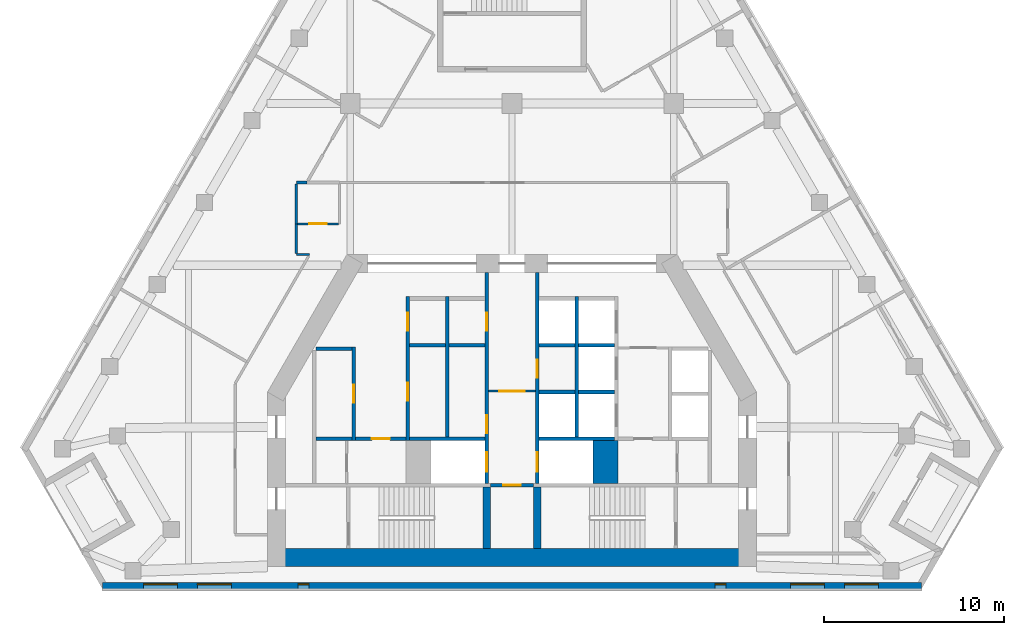
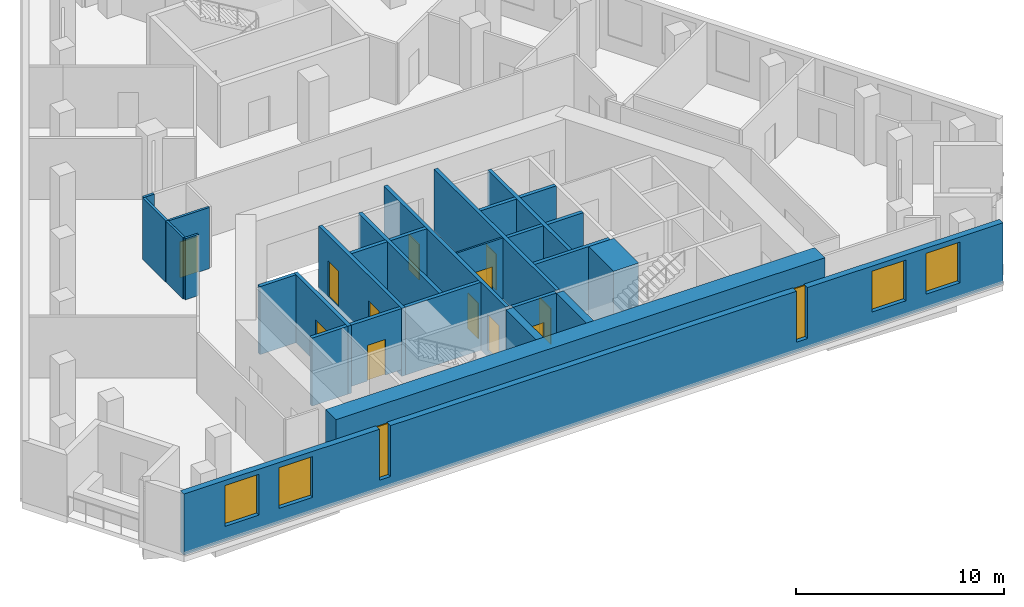
# One storey, part 4 of 9: 29 walls, 12 doors, 6 windows, 18 openings.
"""IFC4 building model written with IfcOpenShell, lengths in metres."""

from ifc_helpers import new_model, si_unit, direction, frame, frame_2d, origin, place, context, subcontext, project, spatial, rectangle, extrude, material, layer, layer_set, type_object, element, fill, save


model = new_model("IFC4")

# Units and contexts
model_context = context("Model", 3, precision=1e-05, world=origin(), true_north=direction((0.0, 1.0)))
body_context = subcontext(model_context, "Body", "Model", "MODEL_VIEW")
ifc_project = project(units=[si_unit("LENGTHUNIT", "METRE"), si_unit("AREAUNIT", "SQUARE_METRE"), si_unit("VOLUMEUNIT", "CUBIC_METRE"), si_unit("PLANEANGLEUNIT", "RADIAN"), si_unit("MASSUNIT", "GRAM", prefix="KILO")], contexts=[model_context])

# Site, building, storey
site_placement = place(None, origin())
site = spatial("IfcSite", under=ifc_project, at=site_placement, CompositionType="ELEMENT")
building_placement = place(site_placement, origin())
building = spatial("IfcBuilding", under=site, at=building_placement, Name="Fogline Exchange Tower", CompositionType="ELEMENT")
storey_placement = place(building_placement, frame((0.0, 0.0, 206.10009765625)))
storey = spatial("IfcBuildingStorey", under=building, at=storey_placement, Name="L46", CompositionType="ELEMENT", Elevation=206.10009765625)

# Wall, opening, door
ifc_material_1 = material(Name="Blockwork partition", Category="masonry")
ifc_layer_1 = layer(ifc_material_1, 0.10009765625)
ifc_layer_set_1 = layer_set([ifc_layer_1], Name="CW10")
wall_type_1 = type_object("IfcWallType", Name="CW10", PredefinedType="PARTITIONING", material=ifc_layer_set_1)
wall_1_placement = place(storey_placement, frame((-1.300048828125, 11.0, 0.0), z_axis=(0.0, 0.0, 1.0), x_axis=(1.0, 0.0, 0.0)))
wall_1 = element("IfcWall", 1, at=wall_1_placement, inside=storey, type_object=wall_type_1, Name="Lift lobby partition", PredefinedType="PARTITIONING", context=body_context, shape_type="SweptSolid", body=[
    extrude(rectangle(XDim=2.60009765625, YDim=0.10009765625, at=frame_2d((1.300048828125, 0.0))), origin(), (0.0, 0.0, 1.0), 3.599853515625),
])
opening_1_placement = place(wall_1_placement, frame((0.60009765625, 0.0, 0.0)))
opening_1 = element("IfcOpeningElement", 2, at=opening_1_placement, cuts=wall_1, Name="Opening T15-C019", PredefinedType="OPENING", context=body_context, shape_type="SweptSolid", body=[
    extrude(rectangle(XDim=1.39990234375, YDim=2.10009765625, at=frame_2d((0.699951171875, 1.050048828125))), frame((0.0, 0.06005859375, 0.0), z_axis=(0.0, -1.0, 0.0), x_axis=(1.0, 0.0, 0.0)), (0.0, 0.0, 1.0), 0.1201171875),
])
ifc_material_2 = material(Name="Steel and timber fire door", Category="steel")
door_type_1 = type_object("IfcDoorType", Name="D-LB1", OperationType="DOUBLE_DOOR_SINGLE_SWING", PredefinedType="DOOR", material=ifc_material_2)
door_1_placement = place(opening_1_placement, frame((1.39990234375, 0.0, 0.0), z_axis=(0.0, 0.0, 1.0), x_axis=(-1.0, 0.0, 0.0)))
door_1 = element("IfcDoor", 3, at=door_1_placement, inside=storey, type_object=door_type_1, Name="Door to firefighting lift lobby", OperationType="DOUBLE_DOOR_SINGLE_SWING", OverallHeight=2.10009765625, OverallWidth=1.39990234375, PredefinedType="DOOR", context=body_context, shape_type="SweptSolid", body=[
    extrude(rectangle(XDim=1.39990234375, YDim=2.10009765625, at=frame_2d((0.699951171875, 1.050048828125))), frame((0.0, 0.02490234375, 0.0), z_axis=(0.0, -1.0, 0.0), x_axis=(1.0, 0.0, 0.0)), (0.0, 0.0, 1.0), 0.050048828125),
])
fill(opening_1, door_1)

# Walls
ifc_material_3 = material(Name="Concrete C60", Category="concrete")
ifc_layer_2 = layer(ifc_material_3, 1.39990234375)
ifc_layer_set_2 = layer_set([ifc_layer_2], Name="CW140")
wall_type_2 = type_object("IfcWallType", Name="CW140", PredefinedType="SOLIDWALL", material=ifc_layer_set_2)
wall_2_placement = place(storey_placement, frame((5.199951171875, 5.85009765625, -0.400146484375), z_axis=(0.0, 0.0, 1.0), x_axis=(0.0, 1.0, 0.0)))
element("IfcWall", 4, at=wall_2_placement, inside=storey, type_object=wall_type_2, Name="Lift shaft block wall", PredefinedType="SOLIDWALL", context=body_context, shape_type="SweptSolid", body=[
    extrude(rectangle(XDim=2.39990234375, YDim=1.39990234375, at=frame_2d((1.199951171875, 0.0))), origin(), (0.0, 0.0, 1.0), 4.0),
])
ifc_material_4 = material(Name="Concrete C40", Category="concrete")
ifc_layer_3 = layer(ifc_material_4, 0.199951171875)
ifc_layer_set_3 = layer_set([ifc_layer_3], Name="CW20")
wall_type_3 = type_object("IfcWallType", Name="CW20", PredefinedType="SOLIDWALL", material=ifc_layer_set_3)
for number, where, z_axis, x_axis, name in (
    (5, (-5.699951171875, 13.550048828125, 0.0), (0.0, 0.0, 1.0), (1.0, 0.0, 0.0), "Service room wall"),
    (6, (-3.5, 13.550048828125, 0.0), (0.0, 0.0, 1.0), (1.0, 0.0, 0.0), "Service room wall"),
):
    element("IfcWall", number, at=place(storey_placement, frame(where, z_axis=z_axis, x_axis=x_axis)), inside=storey, type_object=wall_type_3, Name=name, PredefinedType="SOLIDWALL", context=body_context, shape_type="SweptSolid", body=[
        extrude(rectangle(XDim=2.0, YDim=0.199951171875, at=frame_2d((1.0, 0.0))), origin(), (0.0, 0.0, 1.0), 3.599853515625),
    ])

# Wall, opening, door
wall_3_placement = place(storey_placement, frame((-8.699951171875, 8.35009765625, 0.0), z_axis=(0.0, 0.0, 1.0), x_axis=(1.0, 0.0, 0.0)))
wall_3 = element("IfcWall", 7, at=wall_3_placement, inside=storey, type_object=wall_type_3, Name="WC wall", PredefinedType="SOLIDWALL", context=body_context, shape_type="SweptSolid", body=[
    extrude(rectangle(XDim=2.800048828125, YDim=0.199951171875, at=frame_2d((1.39990234375, 0.0))), origin(), (0.0, 0.0, 1.0), 3.599853515625),
])
opening_2_placement = place(wall_3_placement, frame((0.89990234375, 0.0, 0.0)))
opening_2 = element("IfcOpeningElement", 8, at=opening_2_placement, cuts=wall_3, Name="Opening T15-C008", PredefinedType="OPENING", context=body_context, shape_type="SweptSolid", body=[
    extrude(rectangle(XDim=1.0, YDim=2.10009765625, at=frame_2d((0.5, 1.050048828125))), frame((0.0, 0.10986328125, 0.0), z_axis=(0.0, -1.0, 0.0), x_axis=(1.0, 0.0, 0.0)), (0.0, 0.0, 1.0), 0.219970703125),
])
door_type_2 = type_object("IfcDoorType", Name="D-WC1", OperationType="SINGLE_SWING_LEFT", PredefinedType="DOOR", material=ifc_material_2)
door_2_placement = place(opening_2_placement, frame((1.0, 0.0, 0.0), z_axis=(0.0, 0.0, 1.0), x_axis=(-1.0, 0.0, 0.0)))
door_2 = element("IfcDoor", 9, at=door_2_placement, inside=storey, type_object=door_type_2, Name="Door to Men's WC", OperationType="SINGLE_SWING_LEFT", OverallHeight=2.10009765625, OverallWidth=1.0, PredefinedType="DOOR", context=body_context, shape_type="SweptSolid", body=[
    extrude(rectangle(XDim=1.0, YDim=2.10009765625, at=frame_2d((0.5, 1.050048828125))), frame((0.0, 0.02490234375, 0.0), z_axis=(0.0, -1.0, 0.0), x_axis=(1.0, 0.0, 0.0)), (0.0, 0.0, 1.0), 0.050048828125),
])
fill(opening_2, door_2)

ifc_layer_4 = layer(ifc_material_4, 0.199951171875)
ifc_layer_set_4 = layer_set([ifc_layer_4], Name="CW20R")
wall_type_4 = type_object("IfcWallType", Name="CW20R", PredefinedType="SOLIDWALL", material=ifc_layer_set_4)
wall_4_placement = place(storey_placement, frame((-1.199951171875, 5.75, -0.400146484375), z_axis=(0.0, 0.0, 1.0), x_axis=(1.0, 0.0, 0.0)))
wall_4 = element("IfcWall", 10, at=wall_4_placement, inside=storey, type_object=wall_type_4, Name="Stair enclosure wall", PredefinedType="SOLIDWALL", context=body_context, shape_type="SweptSolid", body=[
    extrude(rectangle(XDim=2.39990234375, YDim=0.199951171875, at=frame_2d((1.199951171875, 0.0))), origin(), (0.0, 0.0, 1.0), 4.0),
])
opening_3_placement = place(wall_4_placement, frame((0.699951171875, 0.0, 0.39990234375)))
opening_3 = element("IfcOpeningElement", 11, at=opening_3_placement, cuts=wall_4, Name="Opening T15-C007", PredefinedType="OPENING", context=body_context, shape_type="SweptSolid", body=[
    extrude(rectangle(XDim=1.0, YDim=2.10009765625, at=frame_2d((0.5, 1.050048828125))), frame((0.0, 0.10986328125, 0.0), z_axis=(0.0, -1.0, 0.0), x_axis=(1.0, 0.0, 0.0)), (0.0, 0.0, 1.0), 0.219970703125),
])
door_type_3 = type_object("IfcDoorType", Name="D-RM1", OperationType="SINGLE_SWING_LEFT", PredefinedType="DOOR", material=ifc_material_2)
door_3_placement = place(opening_3_placement, frame((1.0, 0.0, 0.0), z_axis=(0.0, 0.0, 1.0), x_axis=(-1.0, 0.0, 0.0)))
door_3 = element("IfcDoor", 12, at=door_3_placement, inside=storey, type_object=door_type_3, Name="Door to Stationery Store", OperationType="SINGLE_SWING_RIGHT", OverallHeight=2.10009765625, OverallWidth=1.0, PredefinedType="DOOR", context=body_context, shape_type="SweptSolid", body=[
    extrude(rectangle(XDim=1.0, YDim=2.10009765625, at=frame_2d((0.5, 1.050048828125))), frame((0.0, 0.02490234375, 0.0), z_axis=(0.0, -1.0, 0.0), x_axis=(1.0, 0.0, 0.0)), (0.0, 0.0, 1.0), 0.050048828125),
])
fill(opening_3, door_3)

ifc_layer_5 = layer(ifc_material_4, 0.199951171875)
ifc_layer_set_5 = layer_set([ifc_layer_5], Name="CW20S")
wall_type_5 = type_object("IfcWallType", Name="CW20S", PredefinedType="SOLIDWALL", material=ifc_layer_set_5)
wall_5_placement = place(storey_placement, frame((-8.800048828125, 8.25, -0.400146484375), z_axis=(0.0, 0.0, 1.0), x_axis=(0.0, 1.0, 0.0)))
wall_5 = element("IfcWall", 13, at=wall_5_placement, inside=storey, type_object=wall_type_5, Name="Lift shaft wall", PredefinedType="SOLIDWALL", context=body_context, shape_type="SweptSolid", body=[
    extrude(rectangle(XDim=5.199951171875, YDim=0.199951171875, at=frame_2d((2.60009765625, 0.0))), origin(), (0.0, 0.0, 1.0), 4.0),
])
opening_4_placement = place(wall_5_placement, frame((2.10009765625, 0.0, 0.39990234375)))
opening_4 = element("IfcOpeningElement", 14, at=opening_4_placement, cuts=wall_5, Name="Opening T15-C001", PredefinedType="OPENING", context=body_context, shape_type="SweptSolid", body=[
    extrude(rectangle(XDim=1.0, YDim=2.10009765625, at=frame_2d((0.5, 1.050048828125))), frame((0.0, 0.10986328125, 0.0), z_axis=(0.0, -1.0, 0.0), x_axis=(1.0, 0.0, 0.0)), (0.0, 0.0, 1.0), 0.219970703125),
])
door_4_placement = place(opening_4_placement, origin())
door_4 = element("IfcDoor", 15, at=door_4_placement, inside=storey, type_object=door_type_3, Name="Door to Archive Room", OperationType="SINGLE_SWING_RIGHT", OverallHeight=2.10009765625, OverallWidth=1.0, PredefinedType="DOOR", context=body_context, shape_type="SweptSolid", body=[
    extrude(rectangle(XDim=1.0, YDim=2.10009765625, at=frame_2d((0.5, 1.050048828125))), frame((0.0, 0.02490234375, 0.0), z_axis=(0.0, -1.0, 0.0), x_axis=(1.0, 0.0, 0.0)), (0.0, 0.0, 1.0), 0.050048828125),
])
fill(opening_4, door_4)

# Wall, openings, doors
wall_6_placement = place(storey_placement, frame((-5.800048828125, 8.25, -0.400146484375), z_axis=(0.0, 0.0, 1.0), x_axis=(0.0, 1.0, 0.0)))
wall_6 = element("IfcWall", 16, at=wall_6_placement, inside=storey, type_object=wall_type_5, Name="Lift shaft wall", PredefinedType="SOLIDWALL", context=body_context, shape_type="SweptSolid", body=[
    extrude(rectangle(XDim=8.0, YDim=0.199951171875, at=frame_2d((4.0, 0.0))), origin(), (0.0, 0.0, 1.0), 4.0),
])
opening_5_placement = place(wall_6_placement, frame((2.199951171875, 0.0, 0.39990234375)))
opening_5 = element("IfcOpeningElement", 17, at=opening_5_placement, cuts=wall_6, Name="Opening T15-C002", PredefinedType="OPENING", context=body_context, shape_type="SweptSolid", body=[
    extrude(rectangle(XDim=1.0, YDim=2.10009765625, at=frame_2d((0.5, 1.050048828125))), frame((0.0, 0.10986328125, 0.0), z_axis=(0.0, -1.0, 0.0), x_axis=(1.0, 0.0, 0.0)), (0.0, 0.0, 1.0), 0.219970703125),
])
opening_6_placement = place(wall_6_placement, frame((6.10009765625, 0.0, 0.39990234375)))
opening_6 = element("IfcOpeningElement", 18, at=opening_6_placement, cuts=wall_6, Name="Opening T15-C003", PredefinedType="OPENING", context=body_context, shape_type="SweptSolid", body=[
    extrude(rectangle(XDim=1.0, YDim=2.10009765625, at=frame_2d((0.5, 1.050048828125))), frame((0.0, 0.10986328125, 0.0), z_axis=(0.0, -1.0, 0.0), x_axis=(1.0, 0.0, 0.0)), (0.0, 0.0, 1.0), 0.219970703125),
])
door_5_placement = place(opening_5_placement, frame((1.0, 0.0, 0.0), z_axis=(0.0, 0.0, 1.0), x_axis=(-1.0, 0.0, 0.0)))
door_5 = element("IfcDoor", 19, at=door_5_placement, inside=storey, type_object=door_type_3, Name="Door to Equipment Room", OperationType="SINGLE_SWING_LEFT", OverallHeight=2.10009765625, OverallWidth=1.0, PredefinedType="DOOR", context=body_context, shape_type="SweptSolid", body=[
    extrude(rectangle(XDim=1.0, YDim=2.10009765625, at=frame_2d((0.5, 1.050048828125))), frame((0.0, 0.02490234375, 0.0), z_axis=(0.0, -1.0, 0.0), x_axis=(1.0, 0.0, 0.0)), (0.0, 0.0, 1.0), 0.050048828125),
])
fill(opening_5, door_5)
door_6_placement = place(opening_6_placement, frame((1.0, 0.0, 0.0), z_axis=(0.0, 0.0, 1.0), x_axis=(-1.0, 0.0, 0.0)))
door_6 = element("IfcDoor", 20, at=door_6_placement, inside=storey, type_object=door_type_3, Name="Door to Server Room", OperationType="SINGLE_SWING_RIGHT", OverallHeight=2.10009765625, OverallWidth=1.0, PredefinedType="DOOR", context=body_context, shape_type="SweptSolid", body=[
    extrude(rectangle(XDim=1.0, YDim=2.10009765625, at=frame_2d((0.5, 1.050048828125))), frame((0.0, 0.02490234375, 0.0), z_axis=(0.0, -1.0, 0.0), x_axis=(1.0, 0.0, 0.0)), (0.0, 0.0, 1.0), 0.050048828125),
])
fill(opening_6, door_6)

# Walls
for number, where, z_axis, x_axis, name in (
    (21, (-3.60009765625, 8.449951171875, -0.400146484375), (0.0, 0.0, 1.0), (0.0, 1.0, 0.0), "Lift shaft wall"),
    (22, (3.60009765625, 8.449951171875, -0.400146484375), (0.0, 0.0, 1.0), (0.0, 1.0, 0.0), "Lift shaft wall"),
):
    element("IfcWall", number, at=place(storey_placement, frame(where, z_axis=z_axis, x_axis=x_axis)), inside=storey, type_object=wall_type_5, Name=name, PredefinedType="SOLIDWALL", context=body_context, shape_type="SweptSolid", body=[
        extrude(rectangle(XDim=7.800048828125, YDim=0.199951171875, at=frame_2d((3.89990234375, 0.0))), origin(), (0.0, 0.0, 1.0), 4.0),
    ])

# Wall, openings, doors
wall_7_placement = place(storey_placement, frame((-1.39990234375, 5.85009765625, -0.400146484375), z_axis=(0.0, 0.0, 1.0), x_axis=(0.0, 1.0, 0.0)))
wall_7 = element("IfcWall", 23, at=wall_7_placement, inside=storey, type_object=wall_type_5, Name="Lift lobby wall", PredefinedType="SOLIDWALL", context=body_context, shape_type="SweptSolid", body=[
    extrude(rectangle(XDim=11.75, YDim=0.199951171875, at=frame_2d((5.875, 0.0))), origin(), (0.0, 0.0, 1.0), 4.0),
])
opening_7_placement = place(wall_7_placement, frame((0.64990234375, 0.0, 0.39990234375)))
opening_7 = element("IfcOpeningElement", 24, at=opening_7_placement, cuts=wall_7, Name="Opening T15-LD01", PredefinedType="OPENING", context=body_context, shape_type="SweptSolid", body=[
    extrude(rectangle(XDim=1.10009765625, YDim=2.10009765625, at=frame_2d((0.550048828125, 1.050048828125))), frame((0.0, 0.10986328125, 0.0), z_axis=(0.0, -1.0, 0.0), x_axis=(1.0, 0.0, 0.0)), (0.0, 0.0, 1.0), 0.219970703125),
])
opening_8_placement = place(wall_7_placement, frame((2.800048828125, 0.0, 0.39990234375)))
opening_8 = element("IfcOpeningElement", 25, at=opening_8_placement, cuts=wall_7, Name="Opening T15-C004", PredefinedType="OPENING", context=body_context, shape_type="SweptSolid", body=[
    extrude(rectangle(XDim=1.0, YDim=2.10009765625, at=frame_2d((0.5, 1.050048828125))), frame((0.0, 0.10986328125, 0.0), z_axis=(0.0, -1.0, 0.0), x_axis=(1.0, 0.0, 0.0)), (0.0, 0.0, 1.0), 0.219970703125),
])
opening_9_placement = place(wall_7_placement, frame((8.5, 0.0, 0.39990234375)))
opening_9 = element("IfcOpeningElement", 26, at=opening_9_placement, cuts=wall_7, Name="Opening T15-C005", PredefinedType="OPENING", context=body_context, shape_type="SweptSolid", body=[
    extrude(rectangle(XDim=1.0, YDim=2.10009765625, at=frame_2d((0.5, 1.050048828125))), frame((0.0, 0.10986328125, 0.0), z_axis=(0.0, -1.0, 0.0), x_axis=(1.0, 0.0, 0.0)), (0.0, 0.0, 1.0), 0.219970703125),
])
door_7_placement = place(opening_8_placement, origin())
door_7 = element("IfcDoor", 27, at=door_7_placement, inside=storey, type_object=door_type_3, Name="Door to Library Store", OperationType="SINGLE_SWING_LEFT", OverallHeight=2.10009765625, OverallWidth=1.0, PredefinedType="DOOR", context=body_context, shape_type="SweptSolid", body=[
    extrude(rectangle(XDim=1.0, YDim=2.10009765625, at=frame_2d((0.5, 1.050048828125))), frame((0.0, 0.02490234375, 0.0), z_axis=(0.0, -1.0, 0.0), x_axis=(1.0, 0.0, 0.0)), (0.0, 0.0, 1.0), 0.050048828125),
])
fill(opening_8, door_7)
door_8_placement = place(opening_9_placement, origin())
door_8 = element("IfcDoor", 28, at=door_8_placement, inside=storey, type_object=door_type_3, Name="Door to Library Store", OperationType="SINGLE_SWING_LEFT", OverallHeight=2.10009765625, OverallWidth=1.0, PredefinedType="DOOR", context=body_context, shape_type="SweptSolid", body=[
    extrude(rectangle(XDim=1.0, YDim=2.10009765625, at=frame_2d((0.5, 1.050048828125))), frame((0.0, 0.02490234375, 0.0), z_axis=(0.0, -1.0, 0.0), x_axis=(1.0, 0.0, 0.0)), (0.0, 0.0, 1.0), 0.050048828125),
])
fill(opening_9, door_8)
door_type_4 = type_object("IfcDoorType", Name="LD2", OperationType="SLIDING_TO_RIGHT", PredefinedType="DOOR", material=ifc_material_2)
door_9_placement = place(opening_7_placement, origin())
door_9 = element("IfcDoor", 29, at=door_9_placement, inside=storey, type_object=door_type_4, Name="Landing door FF1", OperationType="SLIDING_TO_RIGHT", OverallHeight=2.10009765625, OverallWidth=1.10009765625, PredefinedType="DOOR", context=body_context, shape_type="SweptSolid", body=[
    extrude(rectangle(XDim=1.10009765625, YDim=2.10009765625, at=frame_2d((0.550048828125, 1.050048828125))), frame((0.0, 0.02490234375, 0.0), z_axis=(0.0, -1.0, 0.0), x_axis=(1.0, 0.0, 0.0)), (0.0, 0.0, 1.0), 0.050048828125),
])
fill(opening_7, door_9)

wall_8_placement = place(storey_placement, frame((1.39990234375, 5.85009765625, -0.400146484375), z_axis=(0.0, 0.0, 1.0), x_axis=(0.0, 1.0, 0.0)))
wall_8 = element("IfcWall", 30, at=wall_8_placement, inside=storey, type_object=wall_type_5, Name="Lift lobby wall", PredefinedType="SOLIDWALL", context=body_context, shape_type="SweptSolid", body=[
    extrude(rectangle(XDim=11.75, YDim=0.199951171875, at=frame_2d((5.875, 0.0))), origin(), (0.0, 0.0, 1.0), 4.0),
])
opening_10_placement = place(wall_8_placement, frame((0.64990234375, 0.0, 0.39990234375)))
opening_10 = element("IfcOpeningElement", 31, at=opening_10_placement, cuts=wall_8, Name="Opening T15-LD05", PredefinedType="OPENING", context=body_context, shape_type="SweptSolid", body=[
    extrude(rectangle(XDim=1.10009765625, YDim=2.10009765625, at=frame_2d((0.550048828125, 1.050048828125))), frame((0.0, 0.10986328125, 0.0), z_axis=(0.0, -1.0, 0.0), x_axis=(1.0, 0.0, 0.0)), (0.0, 0.0, 1.0), 0.219970703125),
])
opening_11_placement = place(wall_8_placement, frame((5.89990234375, 0.0, 0.39990234375)))
opening_11 = element("IfcOpeningElement", 32, at=opening_11_placement, cuts=wall_8, Name="Opening T15-C006", PredefinedType="OPENING", context=body_context, shape_type="SweptSolid", body=[
    extrude(rectangle(XDim=1.0, YDim=2.10009765625, at=frame_2d((0.5, 1.050048828125))), frame((0.0, 0.10986328125, 0.0), z_axis=(0.0, -1.0, 0.0), x_axis=(1.0, 0.0, 0.0)), (0.0, 0.0, 1.0), 0.219970703125),
])
door_10_placement = place(opening_11_placement, frame((1.0, 0.0, 0.0), z_axis=(0.0, 0.0, 1.0), x_axis=(-1.0, 0.0, 0.0)))
door_10 = element("IfcDoor", 33, at=door_10_placement, inside=storey, type_object=door_type_3, Name="Door to Plant Room", OperationType="SINGLE_SWING_RIGHT", OverallHeight=2.10009765625, OverallWidth=1.0, PredefinedType="DOOR", context=body_context, shape_type="SweptSolid", body=[
    extrude(rectangle(XDim=1.0, YDim=2.10009765625, at=frame_2d((0.5, 1.050048828125))), frame((0.0, 0.02490234375, 0.0), z_axis=(0.0, -1.0, 0.0), x_axis=(1.0, 0.0, 0.0)), (0.0, 0.0, 1.0), 0.050048828125),
])
fill(opening_11, door_10)
door_11_placement = place(opening_10_placement, origin())
door_11 = element("IfcDoor", 34, at=door_11_placement, inside=storey, type_object=door_type_4, Name="Landing door FF2", OperationType="SLIDING_TO_RIGHT", OverallHeight=2.10009765625, OverallWidth=1.10009765625, PredefinedType="DOOR", context=body_context, shape_type="SweptSolid", body=[
    extrude(rectangle(XDim=1.10009765625, YDim=2.10009765625, at=frame_2d((0.550048828125, 1.050048828125))), frame((0.0, 0.02490234375, 0.0), z_axis=(0.0, -1.0, 0.0), x_axis=(1.0, 0.0, 0.0)), (0.0, 0.0, 1.0), 0.050048828125),
])
fill(opening_10, door_11)

# Walls
wall_9_placement = place(storey_placement, frame((-10.89990234375, 8.35009765625, -0.400146484375), z_axis=(0.0, 0.0, 1.0), x_axis=(1.0, 0.0, 0.0)))
element("IfcWall", 35, at=wall_9_placement, inside=storey, type_object=wall_type_5, Name="Lift shaft wall", PredefinedType="SOLIDWALL", context=body_context, shape_type="SweptSolid", body=[
    extrude(rectangle(XDim=2.0, YDim=0.199951171875, at=frame_2d((1.0, 0.0))), origin(), (0.0, 0.0, 1.0), 4.0),
])
for number, where, z_axis, x_axis, name in (
    (36, (-5.699951171875, 8.35009765625, -0.400146484375), (0.0, 0.0, 1.0), (1.0, 0.0, 0.0), "Lift shaft wall"),
    (37, (1.5, 8.35009765625, -0.400146484375), (0.0, 0.0, 1.0), (1.0, 0.0, 0.0), "Lift shaft wall"),
):
    element("IfcWall", number, at=place(storey_placement, frame(where, z_axis=z_axis, x_axis=x_axis)), inside=storey, type_object=wall_type_5, Name=name, PredefinedType="SOLIDWALL", context=body_context, shape_type="SweptSolid", body=[
        extrude(rectangle(XDim=4.199951171875, YDim=0.199951171875, at=frame_2d((2.10009765625, 0.0))), origin(), (0.0, 0.0, 1.0), 4.0),
    ])
for number, where, z_axis, x_axis, name in (
    (38, (-10.89990234375, 13.35009765625, -0.400146484375), (0.0, 0.0, 1.0), (1.0, 0.0, 0.0), "Lift shaft wall"),
    (39, (3.699951171875, 10.949951171875, -0.400146484375), (0.0, 0.0, 1.0), (1.0, 0.0, 0.0), "Lift shaft wall"),
    (40, (3.699951171875, 13.550048828125, -0.400146484375), (0.0, 0.0, 1.0), (1.0, 0.0, 0.0), "Lift shaft wall"),
    (41, (1.5, 10.949951171875, -0.400146484375), (0.0, 0.0, 1.0), (1.0, 0.0, 0.0), "Lift shaft wall"),
    (42, (1.5, 13.550048828125, -0.400146484375), (0.0, 0.0, 1.0), (1.0, 0.0, 0.0), "Lift shaft wall"),
):
    element("IfcWall", number, at=place(storey_placement, frame(where, z_axis=z_axis, x_axis=x_axis)), inside=storey, type_object=wall_type_5, Name=name, PredefinedType="SOLIDWALL", context=body_context, shape_type="SweptSolid", body=[
        extrude(rectangle(XDim=2.0, YDim=0.199951171875, at=frame_2d((1.0, 0.0))), origin(), (0.0, 0.0, 1.0), 4.0),
    ])
ifc_layer_6 = layer(ifc_material_4, 0.39990234375)
ifc_layer_set_6 = layer_set([ifc_layer_6], Name="CW40R")
wall_type_6 = type_object("IfcWallType", Name="CW40R", PredefinedType="SOLIDWALL", material=ifc_layer_set_6)
for number, where, z_axis, x_axis, name in (
    (43, (-1.39990234375, 2.25, -0.400146484375), (0.0, 0.0, 1.0), (0.0, 1.0, 0.0), "Stair and lift shaft wall"),
    (44, (1.39990234375, 2.25, -0.400146484375), (0.0, 0.0, 1.0), (0.0, 1.0, 0.0), "Stair and lift shaft wall"),
):
    element("IfcWall", number, at=place(storey_placement, frame(where, z_axis=z_axis, x_axis=x_axis)), inside=storey, type_object=wall_type_6, Name=name, PredefinedType="SOLIDWALL", context=body_context, shape_type="SweptSolid", body=[
        extrude(rectangle(XDim=3.39990234375, YDim=0.39990234375, at=frame_2d((1.699951171875, 0.0))), origin(), (0.0, 0.0, 1.0), 4.0),
    ])

# Wall, openings, windows
ifc_material_5 = material(Name="Brick masonry", Category="masonry")
ifc_layer_7 = layer(ifc_material_5, 0.340087890625)
ifc_layer_set_7 = layer_set([ifc_layer_7], Name="FW1")
wall_type_7 = type_object("IfcWallType", Name="FW1", PredefinedType="SOLIDWALL", material=ifc_layer_set_7)
wall_10_placement = place(storey_placement, frame((-22.78662109375, 0.169921875, 0.0), z_axis=(0.0, 0.0, 1.0), x_axis=(1.0, 0.0, 0.0)))
wall_10 = element("IfcWall", 45, at=wall_10_placement, inside=storey, type_object=wall_type_7, Name="Brick wall L46 S", PredefinedType="SOLIDWALL", context=body_context, shape_type="SweptSolid", body=[
    extrude(rectangle(XDim=45.5732421875, YDim=0.340087890625, at=frame_2d((22.78662109375, 0.0))), origin(), (0.0, 0.0, 1.0), 3.599853515625),
])
opening_12_placement = place(wall_10_placement, frame((2.28662109375, 0.0, 0.89990234375)))
opening_12 = element("IfcOpeningElement", 46, at=opening_12_placement, cuts=wall_10, Name="Opening W1", PredefinedType="OPENING", context=body_context, shape_type="SweptSolid", body=[
    extrude(rectangle(XDim=1.885009765625, YDim=2.39990234375, at=frame_2d((0.9423828125, 1.199951171875))), frame((0.0, 0.18017578125, 0.0), z_axis=(0.0, -1.0, 0.0), x_axis=(1.0, 0.0, 0.0)), (0.0, 0.0, 1.0), 0.360107421875),
])
opening_13_placement = place(wall_10_placement, frame((5.28662109375, 0.0, 0.89990234375)))
opening_13 = element("IfcOpeningElement", 47, at=opening_13_placement, cuts=wall_10, Name="Opening W1", PredefinedType="OPENING", context=body_context, shape_type="SweptSolid", body=[
    extrude(rectangle(XDim=1.885009765625, YDim=2.39990234375, at=frame_2d((0.9423828125, 1.199951171875))), frame((0.0, 0.18017578125, 0.0), z_axis=(0.0, -1.0, 0.0), x_axis=(1.0, 0.0, 0.0)), (0.0, 0.0, 1.0), 0.360107421875),
])
opening_14_placement = place(wall_10_placement, frame((38.28662109375, 0.0, 0.89990234375)))
opening_14 = element("IfcOpeningElement", 48, at=opening_14_placement, cuts=wall_10, Name="Opening W1", PredefinedType="OPENING", context=body_context, shape_type="SweptSolid", body=[
    extrude(rectangle(XDim=1.885009765625, YDim=2.39990234375, at=frame_2d((0.9423828125, 1.199951171875))), frame((0.0, 0.18017578125, 0.0), z_axis=(0.0, -1.0, 0.0), x_axis=(1.0, 0.0, 0.0)), (0.0, 0.0, 1.0), 0.360107421875),
])
opening_15_placement = place(wall_10_placement, frame((41.28662109375, 0.0, 0.89990234375)))
opening_15 = element("IfcOpeningElement", 49, at=opening_15_placement, cuts=wall_10, Name="Opening W1", PredefinedType="OPENING", context=body_context, shape_type="SweptSolid", body=[
    extrude(rectangle(XDim=1.885009765625, YDim=2.39990234375, at=frame_2d((0.9423828125, 1.199951171875))), frame((0.0, 0.18017578125, 0.0), z_axis=(0.0, -1.0, 0.0), x_axis=(1.0, 0.0, 0.0)), (0.0, 0.0, 1.0), 0.360107421875),
])
opening_16_placement = place(wall_10_placement, frame((10.886474609375, 0.0, 0.60009765625)))
opening_16 = element("IfcOpeningElement", 50, at=opening_16_placement, cuts=wall_10, Name="Opening W5", PredefinedType="OPENING", context=body_context, shape_type="SweptSolid", body=[
    extrude(rectangle(XDim=0.60009765625, YDim=3.0, at=frame_2d((0.300048828125, 1.5))), frame((0.0, 0.18017578125, 0.0), z_axis=(0.0, -1.0, 0.0), x_axis=(1.0, 0.0, 0.0)), (0.0, 0.0, 1.0), 0.360107421875),
])
opening_17_placement = place(wall_10_placement, frame((34.08642578125, 0.0, 0.60009765625)))
opening_17 = element("IfcOpeningElement", 51, at=opening_17_placement, cuts=wall_10, Name="Opening W5", PredefinedType="OPENING", context=body_context, shape_type="SweptSolid", body=[
    extrude(rectangle(XDim=0.60009765625, YDim=3.0, at=frame_2d((0.300048828125, 1.5))), frame((0.0, 0.18017578125, 0.0), z_axis=(0.0, -1.0, 0.0), x_axis=(1.0, 0.0, 0.0)), (0.0, 0.0, 1.0), 0.360107421875),
])
ifc_material_6 = material(Name="Aluminium and glass", Category="aluminium")
window_type_1 = type_object("IfcWindowType", Name="W1", PartitioningType="SINGLE_PANEL", PredefinedType="WINDOW", material=ifc_material_6)
window_1_placement = place(opening_12_placement, origin())
window_1 = element("IfcWindow", 52, at=window_1_placement, inside=storey, type_object=window_type_1, Name="W1 W1", OverallHeight=2.39990234375, OverallWidth=1.885009765625, PartitioningType="SINGLE_PANEL", PredefinedType="WINDOW", context=body_context, shape_type="SweptSolid", body=[
    extrude(rectangle(XDim=1.885009765625, YDim=2.39990234375, at=frame_2d((0.9423828125, 1.199951171875))), frame((0.0, 0.110107421875, 0.0), z_axis=(0.0, -1.0, 0.0), x_axis=(1.0, 0.0, 0.0)), (0.0, 0.0, 1.0), 0.06005859375),
])
fill(opening_12, window_1)
window_2_placement = place(opening_13_placement, origin())
window_2 = element("IfcWindow", 53, at=window_2_placement, inside=storey, type_object=window_type_1, Name="W1 W1", OverallHeight=2.39990234375, OverallWidth=1.885009765625, PartitioningType="SINGLE_PANEL", PredefinedType="WINDOW", context=body_context, shape_type="SweptSolid", body=[
    extrude(rectangle(XDim=1.885009765625, YDim=2.39990234375, at=frame_2d((0.9423828125, 1.199951171875))), frame((0.0, 0.110107421875, 0.0), z_axis=(0.0, -1.0, 0.0), x_axis=(1.0, 0.0, 0.0)), (0.0, 0.0, 1.0), 0.06005859375),
])
fill(opening_13, window_2)
window_3_placement = place(opening_14_placement, origin())
window_3 = element("IfcWindow", 54, at=window_3_placement, inside=storey, type_object=window_type_1, Name="W1 W1", OverallHeight=2.39990234375, OverallWidth=1.885009765625, PartitioningType="SINGLE_PANEL", PredefinedType="WINDOW", context=body_context, shape_type="SweptSolid", body=[
    extrude(rectangle(XDim=1.885009765625, YDim=2.39990234375, at=frame_2d((0.9423828125, 1.199951171875))), frame((0.0, 0.110107421875, 0.0), z_axis=(0.0, -1.0, 0.0), x_axis=(1.0, 0.0, 0.0)), (0.0, 0.0, 1.0), 0.06005859375),
])
fill(opening_14, window_3)
window_4_placement = place(opening_15_placement, origin())
window_4 = element("IfcWindow", 55, at=window_4_placement, inside=storey, type_object=window_type_1, Name="W1 W1", OverallHeight=2.39990234375, OverallWidth=1.885009765625, PartitioningType="SINGLE_PANEL", PredefinedType="WINDOW", context=body_context, shape_type="SweptSolid", body=[
    extrude(rectangle(XDim=1.885009765625, YDim=2.39990234375, at=frame_2d((0.9423828125, 1.199951171875))), frame((0.0, 0.110107421875, 0.0), z_axis=(0.0, -1.0, 0.0), x_axis=(1.0, 0.0, 0.0)), (0.0, 0.0, 1.0), 0.06005859375),
])
fill(opening_15, window_4)
window_type_2 = type_object("IfcWindowType", Name="W5", PartitioningType="SINGLE_PANEL", PredefinedType="WINDOW", material=ifc_material_6)
window_5_placement = place(opening_16_placement, origin())
window_5 = element("IfcWindow", 56, at=window_5_placement, inside=storey, type_object=window_type_2, Name="W5 W5", OverallHeight=3.0, OverallWidth=0.60009765625, PartitioningType="SINGLE_PANEL", PredefinedType="WINDOW", context=body_context, shape_type="SweptSolid", body=[
    extrude(rectangle(XDim=0.60009765625, YDim=3.0, at=frame_2d((0.300048828125, 1.5))), frame((0.0, 0.110107421875, 0.0), z_axis=(0.0, -1.0, 0.0), x_axis=(1.0, 0.0, 0.0)), (0.0, 0.0, 1.0), 0.06005859375),
])
fill(opening_16, window_5)
window_6_placement = place(opening_17_placement, origin())
window_6 = element("IfcWindow", 57, at=window_6_placement, inside=storey, type_object=window_type_2, Name="W5 W5", OverallHeight=3.0, OverallWidth=0.60009765625, PartitioningType="SINGLE_PANEL", PredefinedType="WINDOW", context=body_context, shape_type="SweptSolid", body=[
    extrude(rectangle(XDim=0.60009765625, YDim=3.0, at=frame_2d((0.300048828125, 1.5))), frame((0.0, 0.110107421875, 0.0), z_axis=(0.0, -1.0, 0.0), x_axis=(1.0, 0.0, 0.0)), (0.0, 0.0, 1.0), 0.06005859375),
])
fill(opening_17, window_6)

# Wall, opening, door
ifc_material_7 = material(Name="Plasterboard corridor partition with mineral wool, 2 layers each side")
ifc_layer_8 = layer(ifc_material_7, 0.125)
ifc_layer_set_8 = layer_set([ifc_layer_8], Name="PW2")
wall_type_8 = type_object("IfcWallType", Name="PW2", PredefinedType="PARTITIONING", material=ifc_layer_set_8)
wall_11_placement = place(storey_placement, frame((-11.925048828125, 20.300048828125, 0.0), z_axis=(0.0, 0.0, 1.0), x_axis=(1.0, 0.0, 0.0)))
wall_11 = element("IfcWall", 58, at=wall_11_placement, inside=storey, type_object=wall_type_8, Name="wall-L46-W008", PredefinedType="PARTITIONING", context=body_context, shape_type="SweptSolid", body=[
    extrude(rectangle(XDim=2.262451171875, YDim=0.125, at=frame_2d((1.13134765625, 0.0))), origin(), (0.0, 0.0, 1.0), 3.599853515625),
])
opening_18_placement = place(wall_11_placement, frame((0.63134765625, 0.0, 0.0)))
opening_18 = element("IfcOpeningElement", 59, at=opening_18_placement, cuts=wall_11, Name="Opening T15-D005", PredefinedType="OPENING", context=body_context, shape_type="SweptSolid", body=[
    extrude(rectangle(XDim=1.0, YDim=2.10009765625, at=frame_2d((0.5, 1.050048828125))), frame((0.0, 0.072509765625, 0.0), z_axis=(0.0, -1.0, 0.0), x_axis=(1.0, 0.0, 0.0)), (0.0, 0.0, 1.0), 0.14501953125),
])
ifc_material_8 = material(Name="Fire-rated timber door leaf with steel frame", Category="steel")
door_type_5 = type_object("IfcDoorType", Name="D3", OperationType="SINGLE_SWING_LEFT", PredefinedType="DOOR", material=ifc_material_8)
door_12_placement = place(opening_18_placement, origin())
door_12 = element("IfcDoor", 60, at=door_12_placement, inside=storey, type_object=door_type_5, Name="door-L46-D005", OperationType="SINGLE_SWING_LEFT", OverallHeight=2.10009765625, OverallWidth=1.0, PredefinedType="DOOR", context=body_context, shape_type="SweptSolid", body=[
    extrude(rectangle(XDim=1.0, YDim=2.10009765625, at=frame_2d((0.5, 1.050048828125))), frame((0.0, 0.02490234375, 0.0), z_axis=(0.0, -1.0, 0.0), x_axis=(1.0, 0.0, 0.0)), (0.0, 0.0, 1.0), 0.050048828125),
])
fill(opening_18, door_12)

# Walls
wall_12_placement = place(storey_placement, frame((-11.259033203125, 18.60009765625, 0.0), z_axis=(0.0, 0.0, 1.0), x_axis=(-1.0, 0.0, 0.0)))
element("IfcWall", 61, at=wall_12_placement, inside=storey, type_object=wall_type_8, Name="wall-L46-W010", PredefinedType="PARTITIONING", context=body_context, shape_type="SweptSolid", body=[
    extrude(rectangle(XDim=0.740966796875, YDim=0.125, at=frame_2d((0.37060546875, 0.0))), origin(), (0.0, 0.0, 1.0), 3.599853515625),
])
wall_13_placement = place(storey_placement, frame((-12.0, 18.66259765625, 0.0), z_axis=(0.0, 0.0, 1.0), x_axis=(0.0, 1.0, 0.0)))
element("IfcWall", 62, at=wall_13_placement, inside=storey, type_object=wall_type_8, Name="wall-L46-W011", PredefinedType="PARTITIONING", context=body_context, shape_type="SweptSolid", body=[
    extrude(rectangle(XDim=1.637451171875, YDim=0.125, at=frame_2d((0.81884765625, 0.0))), origin(), (0.0, 0.0, 1.0), 3.599853515625),
])
ifc_material_9 = material(Name="Plasterboard demising partition with mineral wool and acoustic board")
ifc_layer_9 = layer(ifc_material_9, 0.14990234375)
ifc_layer_set_9 = layer_set([ifc_layer_9], Name="PW3")
wall_type_9 = type_object("IfcWallType", Name="PW3", PredefinedType="PARTITIONING", material=ifc_layer_set_9)
wall_14_placement = place(storey_placement, frame((-12.0, 20.300048828125, 0.0), z_axis=(0.0, 0.0, 1.0), x_axis=(0.0, 1.0, 0.0)))
element("IfcWall", 63, at=wall_14_placement, inside=storey, type_object=wall_type_9, Name="wall-L46-W043", PredefinedType="PARTITIONING", context=body_context, shape_type="SweptSolid", body=[
    extrude(rectangle(XDim=2.224853515625, YDim=0.14990234375, at=frame_2d((1.1123046875, 0.0))), origin(), (0.0, 0.0, 1.0), 3.599853515625),
])
wall_15_placement = place(storey_placement, frame((-12.0, 22.60009765625, 0.0), z_axis=(0.0, 0.0, 1.0), x_axis=(1.0, 0.0, 0.0)))
element("IfcWall", 64, at=wall_15_placement, inside=storey, type_object=wall_type_9, Name="wall-L46-W044", PredefinedType="PARTITIONING", context=body_context, shape_type="SweptSolid", body=[
    extrude(rectangle(XDim=0.58251953125, YDim=0.14990234375, at=frame_2d((0.291259765625, 0.0))), origin(), (0.0, 0.0, 1.0), 3.599853515625),
])
ifc_layer_10 = layer(ifc_material_3, 1.0)
ifc_layer_set_10 = layer_set([ifc_layer_10], Name="SW03")
wall_type_10 = type_object("IfcWallType", Name="SW03", PredefinedType="SHEAR", material=ifc_layer_set_10)
wall_16_placement = place(storey_placement, frame((-13.60009765625, 1.75, 0.0), z_axis=(0.0, 0.0, 1.0), x_axis=(1.0, 0.0, 0.0)))
element("IfcWall", 65, at=wall_16_placement, inside=storey, type_object=wall_type_10, Name="L46-W901", PredefinedType="SHEAR", context=body_context, shape_type="SweptSolid", body=[
    extrude(rectangle(XDim=27.2001953125, YDim=1.0, at=frame_2d((13.60009765625, 0.0))), origin(), (0.0, 0.0, 1.0), 4.0),
])

save(model, "model.ifc")
